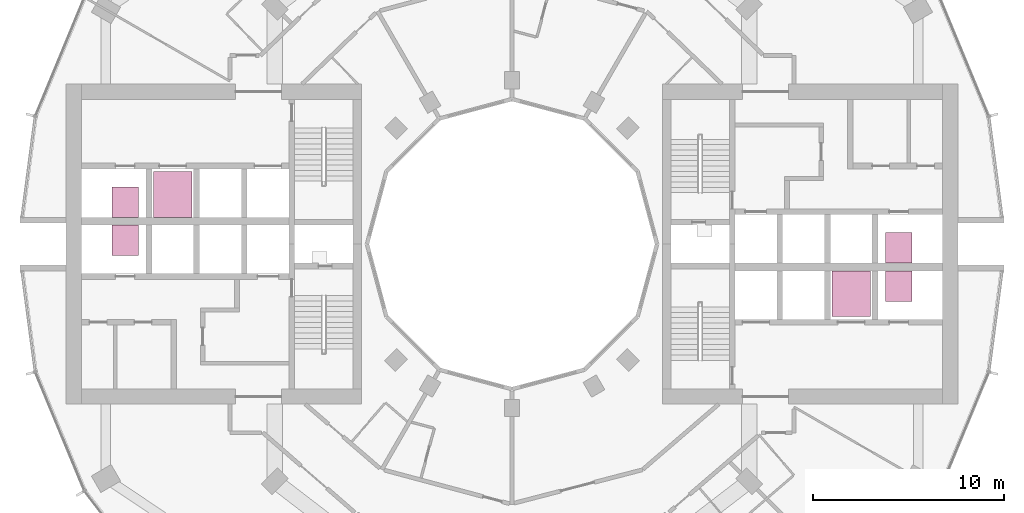
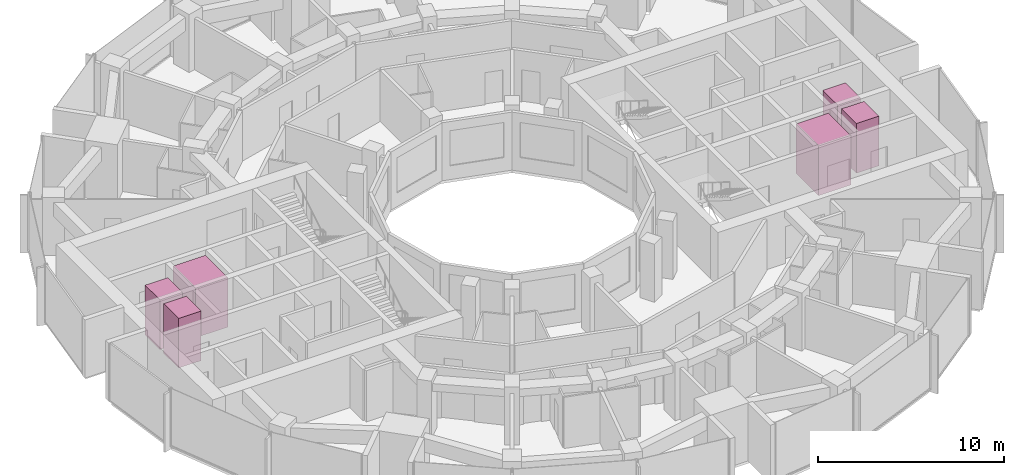
# One storey, part 15 of 15: 6 transport elements.
"""IFC4 building model written with IfcOpenShell, lengths in metres."""

import ifcopenshell
import ifcopenshell.guid

model = None  # the IFC model being written
_history = None  # IfcOwnerHistory: only IFC2X3 demands one
_inside = {}  # id of a spatial element -> (the spatial element, [elements in it])
_under = {}  # id of a project, library or spatial element -> (it, [spatial elements below it])
_declared = {}  # id of a project -> (the project, [libraries it declares])
_typed = {}  # id of a type object -> (the type object, [elements of that type])
_made_of = {}  # id of a material, layer set ... -> (it, [elements and type objects made of it])


def new_model(schema):
    """Start an empty IFC model of exactly this schema.

    Asked for "IFC4X3", IfcOpenShell would pick the latest addendum, in which some entities
    have other attributes; the version numbers below select the first issue.
    IFC2X3 requires an IfcOwnerHistory on every rooted entity: one is made here for all.
    """
    global model, _history
    if schema == "IFC4X3":
        model = ifcopenshell.file(schema_version=(4, 3, 0, 0))
    else:
        model = ifcopenshell.file(schema=schema)
    _inside.clear()
    _under.clear()
    _declared.clear()
    _typed.clear()
    _made_of.clear()
    _history = None
    if model.schema == "IFC2X3":
        org = make("IfcOrganization", Name="unknown")
        user = make(
            "IfcPersonAndOrganization",
            ThePerson=make("IfcPerson", FamilyName="unknown"),
            TheOrganization=org,
        )
        app = make(
            "IfcApplication",
            ApplicationDeveloper=org,
            Version="unknown",
            ApplicationFullName="unknown",
            ApplicationIdentifier="unknown",
        )
        _history = make(
            "IfcOwnerHistory",
            OwningUser=user,
            OwningApplication=app,
            ChangeAction="ADDED",
            CreationDate=0,
        )
    return model


def make(cls, **values):
    """One entity of the class cls with the attributes given. An attribute that is None is left unset."""
    return model.create_entity(
        cls, **{name: value for name, value in values.items() if value is not None}
    )


def rooted(cls, **values):
    """An entity with a GlobalId (a new one), such as an element, a storey or a relation."""
    return make(cls, GlobalId=ifcopenshell.guid.new(), OwnerHistory=_history, **values)


def si_unit(unit_type, name, prefix=None):
    """IfcSIUnit, for example si_unit("LENGTHUNIT", "METRE", prefix="MILLI")."""
    return make("IfcSIUnit", UnitType=unit_type, Prefix=prefix, Name=name)


def assignment(units):
    """IfcUnitAssignment: the units of a project."""
    return None if units is None else make("IfcUnitAssignment", Units=units)


def point(xyz):
    """IfcCartesianPoint."""
    return None if xyz is None else make("IfcCartesianPoint", Coordinates=xyz)


def direction(xyz):
    """IfcDirection."""
    return None if xyz is None else make("IfcDirection", DirectionRatios=xyz)


def frame(location, z_axis=None, x_axis=None):
    """IfcAxis2Placement3D, a coordinate frame: its origin and axes. An axis left out is left unset."""
    return make(
        "IfcAxis2Placement3D",
        Location=point(location),
        Axis=direction(z_axis),
        RefDirection=direction(x_axis),
    )


def frame_2d(location, x_axis=None):
    """IfcAxis2Placement2D, a coordinate frame in the plane: its origin and x axis."""
    return make(
        "IfcAxis2Placement2D", Location=point(location), RefDirection=direction(x_axis)
    )


def origin():
    """The frame at (0, 0, 0) with its axes left unset."""
    return frame((0.0, 0.0, 0.0))


def origin_2d():
    """The frame at (0, 0) in the plane with its x axis left unset."""
    return frame_2d((0.0, 0.0))


def place(relative_to, where):
    """IfcLocalPlacement: puts the frame where relative to a parent placement (None: the world)."""
    return make(
        "IfcLocalPlacement", PlacementRelTo=relative_to, RelativePlacement=where
    )


def context(
    kind, dimensions, precision=None, world=None, true_north=None, identifier=None
):
    """IfcGeometricRepresentationContext, for example the 3D "Model" context."""
    return make(
        "IfcGeometricRepresentationContext",
        ContextIdentifier=identifier,
        ContextType=kind,
        CoordinateSpaceDimension=dimensions,
        Precision=precision,
        WorldCoordinateSystem=world,
        TrueNorth=true_north,
    )


def subcontext(parent, identifier, kind, view, scale=None):
    """IfcGeometricRepresentationSubContext, for example "Body" below "Model"."""
    return make(
        "IfcGeometricRepresentationSubContext",
        ContextIdentifier=identifier,
        ContextType=kind,
        ParentContext=parent,
        TargetScale=scale,
        TargetView=view,
    )


def project(units=None, contexts=None):
    """IfcProject with its units and contexts."""
    return rooted(
        "IfcProject",
        Name="project",
        RepresentationContexts=contexts,
        UnitsInContext=assignment(units),
    )


def spatial(cls, under=None, at=None, **own):
    """A site, building, storey or space (cls), placed at a placement, below another one or the project."""
    s = rooted(cls, ObjectPlacement=at, **own)
    if under is not None:
        _under.setdefault(under.id(), (under, []))[1].append(s)
    return s


def profile(cls, at=None, kind="AREA", **sizes):
    """A parametric profile (cls). Its sizes go by their IFC names, for example OverallWidth=200.0."""
    return make(cls, ProfileType=kind, Position=at, **sizes)


def rectangle(**sizes):
    """IfcRectangleProfileDef."""
    return profile("IfcRectangleProfileDef", **sizes)


def extrude(swept, where, along, depth):
    """IfcExtrudedAreaSolid: the profile swept, set in the frame where, extruded along a direction by depth."""
    return make(
        "IfcExtrudedAreaSolid",
        SweptArea=swept,
        Position=where,
        ExtrudedDirection=direction(along),
        Depth=depth,
    )


def shape(context_of_items, identifier, shape_type, items):
    """IfcShapeRepresentation: the items that make up one representation, for example the "Body"."""
    return make(
        "IfcShapeRepresentation",
        ContextOfItems=context_of_items,
        RepresentationIdentifier=identifier,
        RepresentationType=shape_type,
        Items=items,
    )


def material(Name=None, Category=None):
    """IfcMaterial."""
    return make("IfcMaterial", Name=Name, Category=Category)


def made_of(thing, what):
    """Note that an element or type object is made of a material, layer set ...; save() writes the relation."""
    if what is not None:
        _made_of.setdefault(what.id(), (what, []))[1].append(thing)
    return thing


def type_object(cls, material=None, **own):
    """A type object (cls), such as IfcWallType, which elements share."""
    return made_of(rooted(cls, **own), material)


def element(
    cls,
    number,
    at=None,
    inside=None,
    cuts=None,
    type_object=None,
    material=None,
    context=None,
    identifier="Body",
    shape_type=None,
    held_by="IfcProductDefinitionShape",
    body=None,
    shapes=None,
    **own,
):
    """One element of the class cls, such as IfcWall. Its Tag is "e" and its number.

    at: its placement. inside: the storey or other place that contains it. cuts: it is an
    opening in that element (IfcRelVoidsElement). A single representation is given by context,
    identifier, shape_type and body (its items); several are given by shapes. held_by: the class
    of the entity that holds the representations. save() writes the other relations.
    """
    e = rooted(cls, Tag="e%d" % number, ObjectPlacement=at, **own)
    if body is not None:
        shapes = [shape(context, identifier, shape_type, body)]
    if shapes is not None:
        e.Representation = make(held_by, Representations=shapes)
    if inside is not None:
        _inside.setdefault(inside.id(), (inside, []))[1].append(e)
    if cuts is not None:
        rooted(
            "IfcRelVoidsElement", RelatingBuildingElement=cuts, RelatedOpeningElement=e
        )
    if type_object is not None:
        _typed.setdefault(type_object.id(), (type_object, []))[1].append(e)
    return made_of(e, material)


def aggregate(whole, parts):
    """IfcRelAggregates: a whole, such as a stair, and the parts it consists of."""
    return rooted("IfcRelAggregates", RelatingObject=whole, RelatedObjects=parts)


def save(model, path):
    """Write the relations noted so far, then the file.

    IfcRelAggregates (storeys below a building ...), IfcRelContainedInSpatialStructure (elements
    in a storey), IfcRelDefinesByType, IfcRelAssociatesMaterial and IfcRelDeclares: one each for
    every whole, place, type object, material and project.
    """
    for whole, parts in _under.values():
        aggregate(whole, parts)
    for where, things in _inside.values():
        rooted(
            "IfcRelContainedInSpatialStructure",
            RelatedElements=things,
            RelatingStructure=where,
        )
    for kind, things in _typed.values():
        rooted("IfcRelDefinesByType", RelatedObjects=things, RelatingType=kind)
    for what, things in _made_of.values():
        rooted("IfcRelAssociatesMaterial", RelatedObjects=things, RelatingMaterial=what)
    for by, libraries in _declared.values():
        rooted("IfcRelDeclares", RelatingContext=by, RelatedDefinitions=libraries)
    model.write(path)


model = new_model("IFC4")

# Units and contexts
model_context = context("Model", 3, precision=1e-05, world=origin(), true_north=direction((0.0, 1.0)))
body_context = subcontext(model_context, "Body", "Model", "MODEL_VIEW")
ifc_project = project(units=[si_unit("LENGTHUNIT", "METRE"), si_unit("AREAUNIT", "SQUARE_METRE"), si_unit("VOLUMEUNIT", "CUBIC_METRE"), si_unit("PLANEANGLEUNIT", "RADIAN"), si_unit("MASSUNIT", "GRAM", prefix="KILO")], contexts=[model_context])

# Site, building, storey
site_placement = place(None, origin())
site = spatial("IfcSite", under=ifc_project, at=site_placement, CompositionType="ELEMENT")
building_placement = place(site_placement, origin())
building = spatial("IfcBuilding", under=site, at=building_placement, Name="Torre Brocal", CompositionType="ELEMENT")
storey_placement = place(building_placement, frame((0.0, 0.0, 66.800048828125)))
storey = spatial("IfcBuildingStorey", under=building, at=storey_placement, Name="L15", CompositionType="ELEMENT", Elevation=66.800048828125)

# Transport elements
ifc_material_1 = material(Name="Stainless steel AISI 316", Category="steel")
transport_element_type_1 = type_object("IfcTransportElementType", Name="PASSENGER LIFT 2000", PredefinedType="ELEVATOR", material=ifc_material_1)
for number, where, z_axis, x_axis, name in (
    (1, (97.800048828125, 72.39990234375, 0.0), (0.0, 0.0, 1.0), (1.0, 0.0, 0.0), "LOW RISE LIFT E-LR2"),
    (2, (62.199951171875, 77.60009765625, 0.0), (0.0, 0.0, 1.0), (1.0, 0.0, 0.0), "LOW RISE LIFT W-LR2"),
):
    element("IfcTransportElement", number, at=place(storey_placement, frame(where, z_axis=z_axis, x_axis=x_axis)), inside=storey, type_object=transport_element_type_1, Name=name, PredefinedType="ELEVATOR", context=body_context, shape_type="SweptSolid", body=[
        extrude(rectangle(XDim=2.0, YDim=2.39990234375, at=origin_2d()), origin(), (0.0, 0.0, 1.0), 3.25),
    ])
ifc_material_2 = material(Name="Stainless steel AISI 316", Category="steel")
transport_element_type_2 = type_object("IfcTransportElementType", Name="PASSENGER LIFT 900", PredefinedType="ELEVATOR", material=ifc_material_2)
for number, where, z_axis, x_axis, name in (
    (3, (100.300048828125, 74.800048828125, 0.0), (0.0, 0.0, 1.0), (1.0, 0.0, 0.0), "LOW RISE LIFT E-LR1"),
    (4, (100.300048828125, 72.800048828125, 0.0), (0.0, 0.0, 1.0), (1.0, 0.0, 0.0), "LOW RISE LIFT E-LR3"),
    (5, (59.699951171875, 75.199951171875, 0.0), (0.0, 0.0, 1.0), (1.0, 0.0, 0.0), "LOW RISE LIFT W-LR1"),
    (6, (59.699951171875, 77.199951171875, 0.0), (0.0, 0.0, 1.0), (1.0, 0.0, 0.0), "LOW RISE LIFT W-LR3"),
):
    element("IfcTransportElement", number, at=place(storey_placement, frame(where, z_axis=z_axis, x_axis=x_axis)), inside=storey, type_object=transport_element_type_2, Name=name, PredefinedType="ELEVATOR", context=body_context, shape_type="SweptSolid", body=[
        extrude(rectangle(XDim=1.39990234375, YDim=1.60009765625, at=origin_2d()), origin(), (0.0, 0.0, 1.0), 3.25),
    ])

save(model, "model.ifc")
